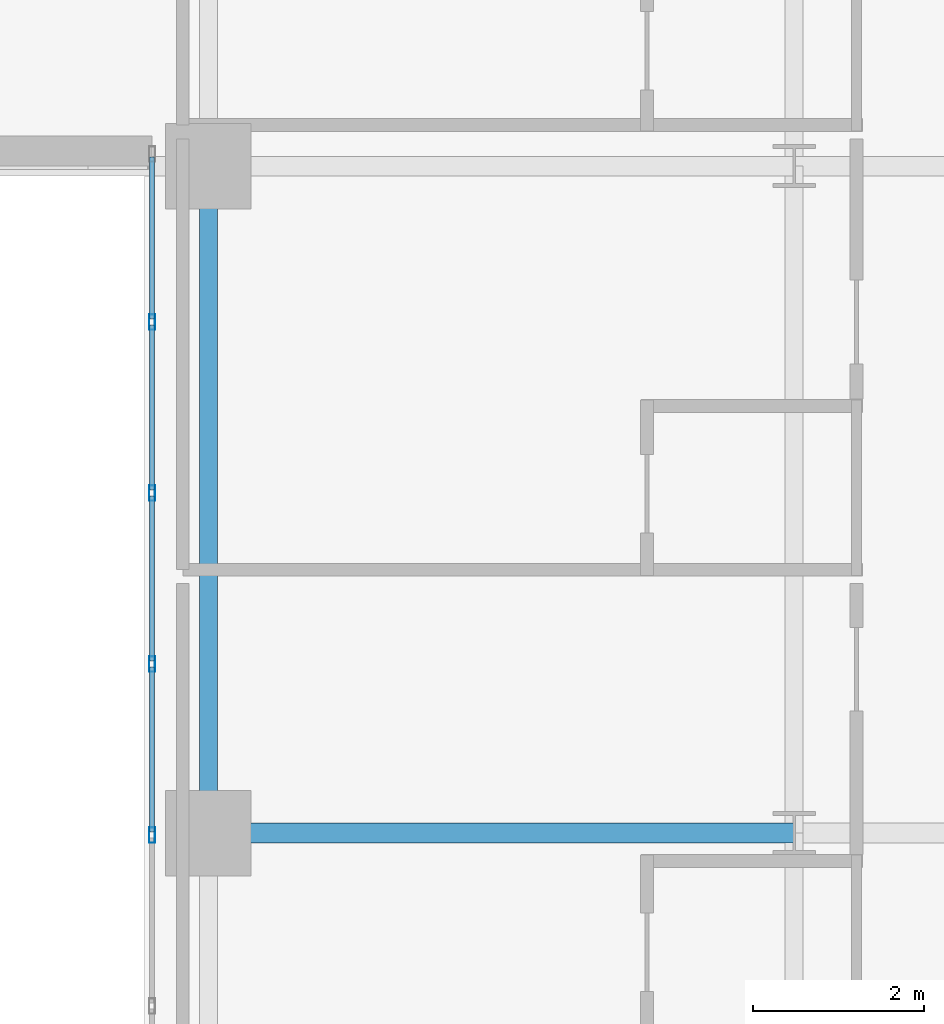
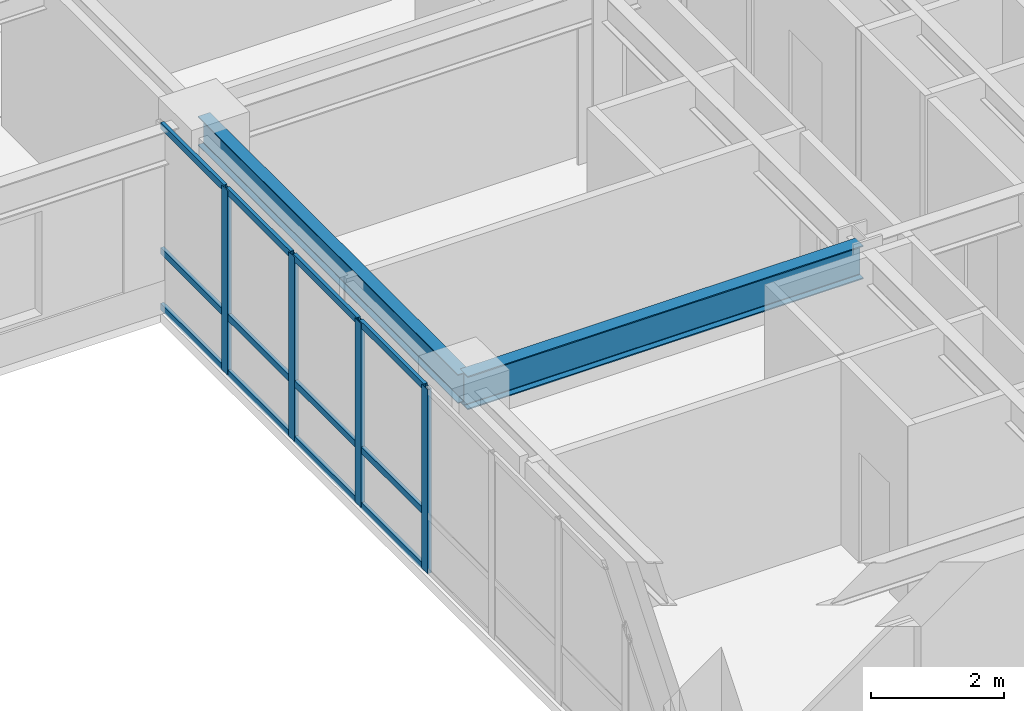
# One storey, part 16 of 37: 16 members, 2 beams, 1 element without a shape of its own.
"""IFC4 building model written with IfcOpenShell, lengths in metres."""

from ifc_helpers import new_model, si_unit, direction, frame, origin, origin_2d, place, context, subcontext, project, spatial, hollow_rectangle, i_section, extrude, source, transform, mapped, material, layer, layer_set, material_profile, profile_set, type_object, type_shapes, element, aggregate, save


model = new_model("IFC4")

# Units and contexts
model_context = context("Model", 3, precision=1e-05, world=origin(), true_north=direction((0.0, 1.0)))
body_context = subcontext(model_context, "Body", "Model", "MODEL_VIEW")
ifc_project = project(units=[si_unit("LENGTHUNIT", "METRE"), si_unit("AREAUNIT", "SQUARE_METRE"), si_unit("VOLUMEUNIT", "CUBIC_METRE"), si_unit("PLANEANGLEUNIT", "RADIAN"), si_unit("MASSUNIT", "GRAM", prefix="KILO")], contexts=[model_context])

# Site, building, storey
site_placement = place(None, origin())
site = spatial("IfcSite", under=ifc_project, at=site_placement, CompositionType="ELEMENT")
building_placement = place(site_placement, origin())
building = spatial("IfcBuilding", under=site, at=building_placement, Name="Tolvann Quenvar Hotel", CompositionType="ELEMENT")
storey_placement = place(building_placement, frame((0.0, 0.0, 53.300048828125)))
storey = spatial("IfcBuildingStorey", under=building, at=storey_placement, Name="L12", CompositionType="ELEMENT", Elevation=53.300048828125)

# Beams
ifc_material_1 = material(Name="Steel Grade 350", Category="steel")
ifc_material_profile_1 = material_profile(ifc_material_1, i_section(OverallWidth=0.22900390625, OverallDepth=0.612060546875, WebThickness=0.011962890625, FlangeThickness=0.01953125, FilletRadius=0.013916015625, at=origin_2d()), Name="610UB125")
ifc_profile_set_1 = profile_set([ifc_material_profile_1], Name="Steel Grade 350")
beam_type_1 = type_object("IfcBeamType", Name="BM_GIRD_610UB125", PredefinedType="BEAM", material=ifc_profile_set_1)
shared_shape_1 = source(origin(), body_context, "Body", "SweptSolid", [
    extrude(i_section(OverallWidth=0.22900390625, OverallDepth=0.612060546875, WebThickness=0.011962890625, FlangeThickness=0.01953125, FilletRadius=0.013916015625, at=origin_2d()), origin(), (0.0, 0.0, 1.0), 6.85009765625),
])
type_shapes(beam_type_1, [shared_shape_1])
beam_1_placement = place(storey_placement, frame((34.949951171875, 8.199951171875, 3.06396484375), z_axis=(1.0, 0.0, 0.0), x_axis=(0.0, 1.0, 0.0)))
element("IfcBeam", 1, at=beam_1_placement, inside=storey, type_object=beam_type_1, Name="BM-L12-EW-3-F3-H3", PredefinedType="BEAM", context=body_context, shape_type="MappedRepresentation", body=[
    mapped(shared_shape_1, transform((0.0, 0.0, 0.0), x_axis=(1.0, 0.0, 0.0), y_axis=(0.0, 1.0, 0.0), z_axis=(0.0, 0.0, 1.0), scale=1.0)),
])
ifc_material_profile_2 = material_profile(ifc_material_1, i_section(OverallWidth=0.208984375, OverallDepth=0.532958984375, WebThickness=0.01025390625, FlangeThickness=0.015625, FilletRadius=0.013916015625, at=origin_2d()), Name="530UB92")
ifc_profile_set_2 = profile_set([ifc_material_profile_2], Name="Steel Grade 350")
beam_type_2 = type_object("IfcBeamType", Name="BM_GIRD_530UB92", PredefinedType="BEAM", material=ifc_profile_set_2)
shared_shape_2 = source(origin(), body_context, "Body", "SweptSolid", [
    extrude(i_section(OverallWidth=0.208984375, OverallDepth=0.532958984375, WebThickness=0.01025390625, FlangeThickness=0.015625, FilletRadius=0.013916015625, at=origin_2d()), origin(), (0.0, 0.0, 1.0), 7.800048828125),
])
type_shapes(beam_type_2, [shared_shape_2])
beam_2_placement = place(storey_placement, frame((34.949951171875, 8.199951171875, 3.103515625), z_axis=(0.0, 1.0, 0.0), x_axis=(-1.0, 0.0, 0.0)))
element("IfcBeam", 2, at=beam_2_placement, inside=storey, type_object=beam_type_2, Name="BM-L12-NS-F3-F4", PredefinedType="BEAM", context=body_context, shape_type="MappedRepresentation", body=[
    mapped(shared_shape_2, transform((0.0, 0.0, 0.0), x_axis=(1.0, 0.0, 0.0), y_axis=(0.0, 1.0, 0.0), z_axis=(0.0, 0.0, 1.0), scale=1.0)),
])

# Curtain wall, members
ifc_material_2 = material(Name="Thermally broken anodised architectural aluminium 6063-T6 and laminated low-E glass", Category="aluminium")
ifc_layer = layer(ifc_material_2, 0.179931640625)
ifc_layer_set = layer_set([ifc_layer], Name="Thermally broken anodised architectural aluminium 6063-T6 and laminated low-E glass")
curtain_wall_type = type_object("IfcCurtainWallType", Name="CW_SYS_SLOT_03", PredefinedType="USERDEFINED", material=ifc_layer_set)
curtain_wall_placement = place(storey_placement, origin())
curtain_wall = element("IfcCurtainWall", 3, at=curtain_wall_placement, inside=storey, type_object=curtain_wall_type, Name="Curtain Wall CW-SLOT-03 (CWR-L12-E07)", ObjectType="UNITISED CURTAIN WALL", PredefinedType="USERDEFINED")
ifc_material_3 = material(Name="Anodised architectural aluminium 6063-T6 framing", Category="aluminium")
ifc_material_profile_3 = material_profile(ifc_material_3, hollow_rectangle(XDim=0.06005859375, YDim=0.1201171875, WallThickness=0.00341796875, at=origin_2d()), Name="120x60x3.5RHS")
ifc_profile_set_3 = profile_set([ifc_material_profile_3], Name="Anodised architectural aluminium 6063-T6 framing")
member_type_1 = type_object("IfcMemberType", Name="CW_TRAN_120x60", PredefinedType="USERDEFINED", material=ifc_profile_set_3)
shared_shape_3 = source(origin(), body_context, "Body", "SweptSolid", [
    extrude(hollow_rectangle(XDim=0.06005859375, YDim=0.1201171875, WallThickness=0.00341796875, at=origin_2d()), origin(), (0.0, 0.0, 1.0), 1.929931640625),
])
member_1_placement = place(storey_placement, frame((34.2900390625, 14.139892578125, 0.030029296875), z_axis=(0.0, -1.0, 0.0), x_axis=(1.0, 0.0, 0.0)))
member_1 = element("IfcMember", 4, at=member_1_placement, type_object=member_type_1, Name="CW-SLOT-03 transom 2.1", ObjectType="TRANSOM", PredefinedType="USERDEFINED", context=body_context, shape_type="MappedRepresentation", body=[
    mapped(shared_shape_3, transform((0.0, 0.0, 0.0), x_axis=(1.0, 0.0, 0.0), y_axis=(0.0, 1.0, 0.0), z_axis=(0.0, 0.0, 1.0), scale=1.0)),
])
member_2_placement = place(storey_placement, frame((34.2900390625, 14.139892578125, 1.050048828125), z_axis=(0.0, -1.0, 0.0), x_axis=(1.0, 0.0, 0.0)))
member_2 = element("IfcMember", 5, at=member_2_placement, type_object=member_type_1, Name="CW-SLOT-03 transom 2.2", ObjectType="TRANSOM", PredefinedType="USERDEFINED", context=body_context, shape_type="MappedRepresentation", body=[
    mapped(shared_shape_3, transform((0.0, 0.0, 0.0), x_axis=(1.0, 0.0, 0.0), y_axis=(0.0, 1.0, 0.0), z_axis=(0.0, 0.0, 1.0), scale=1.0)),
])
member_3_placement = place(storey_placement, frame((34.2900390625, 14.139892578125, 3.33984375), z_axis=(0.0, -1.0, 0.0), x_axis=(1.0, 0.0, 0.0)))
member_3 = element("IfcMember", 6, at=member_3_placement, type_object=member_type_1, Name="CW-SLOT-03 transom 2.3", ObjectType="TRANSOM", PredefinedType="USERDEFINED", context=body_context, shape_type="MappedRepresentation", body=[
    mapped(shared_shape_3, transform((0.0, 0.0, 0.0), x_axis=(1.0, 0.0, 0.0), y_axis=(0.0, 1.0, 0.0), z_axis=(0.0, 0.0, 1.0), scale=1.0)),
])
member_4_placement = place(storey_placement, frame((34.2900390625, 12.139892578125, 0.030029296875), z_axis=(0.0, -1.0, 0.0), x_axis=(1.0, 0.0, 0.0)))
member_4 = element("IfcMember", 7, at=member_4_placement, type_object=member_type_1, Name="CW-SLOT-03 transom 3.1", ObjectType="TRANSOM", PredefinedType="USERDEFINED", context=body_context, shape_type="MappedRepresentation", body=[
    mapped(shared_shape_3, transform((0.0, 0.0, 0.0), x_axis=(1.0, 0.0, 0.0), y_axis=(0.0, 1.0, 0.0), z_axis=(0.0, 0.0, 1.0), scale=1.0)),
])
member_5_placement = place(storey_placement, frame((34.2900390625, 12.139892578125, 1.050048828125), z_axis=(0.0, -1.0, 0.0), x_axis=(1.0, 0.0, 0.0)))
member_5 = element("IfcMember", 8, at=member_5_placement, type_object=member_type_1, Name="CW-SLOT-03 transom 3.2", ObjectType="TRANSOM", PredefinedType="USERDEFINED", context=body_context, shape_type="MappedRepresentation", body=[
    mapped(shared_shape_3, transform((0.0, 0.0, 0.0), x_axis=(1.0, 0.0, 0.0), y_axis=(0.0, 1.0, 0.0), z_axis=(0.0, 0.0, 1.0), scale=1.0)),
])
member_6_placement = place(storey_placement, frame((34.2900390625, 12.139892578125, 3.33984375), z_axis=(0.0, -1.0, 0.0), x_axis=(1.0, 0.0, 0.0)))
member_6 = element("IfcMember", 9, at=member_6_placement, type_object=member_type_1, Name="CW-SLOT-03 transom 3.3", ObjectType="TRANSOM", PredefinedType="USERDEFINED", context=body_context, shape_type="MappedRepresentation", body=[
    mapped(shared_shape_3, transform((0.0, 0.0, 0.0), x_axis=(1.0, 0.0, 0.0), y_axis=(0.0, 1.0, 0.0), z_axis=(0.0, 0.0, 1.0), scale=1.0)),
])
member_7_placement = place(storey_placement, frame((34.2900390625, 10.139892578125, 0.030029296875), z_axis=(0.0, -1.0, 0.0), x_axis=(1.0, 0.0, 0.0)))
member_7 = element("IfcMember", 10, at=member_7_placement, type_object=member_type_1, Name="CW-SLOT-03 transom 4.1", ObjectType="TRANSOM", PredefinedType="USERDEFINED", context=body_context, shape_type="MappedRepresentation", body=[
    mapped(shared_shape_3, transform((0.0, 0.0, 0.0), x_axis=(1.0, 0.0, 0.0), y_axis=(0.0, 1.0, 0.0), z_axis=(0.0, 0.0, 1.0), scale=1.0)),
])
member_8_placement = place(storey_placement, frame((34.2900390625, 10.139892578125, 1.050048828125), z_axis=(0.0, -1.0, 0.0), x_axis=(1.0, 0.0, 0.0)))
member_8 = element("IfcMember", 11, at=member_8_placement, type_object=member_type_1, Name="CW-SLOT-03 transom 4.2", ObjectType="TRANSOM", PredefinedType="USERDEFINED", context=body_context, shape_type="MappedRepresentation", body=[
    mapped(shared_shape_3, transform((0.0, 0.0, 0.0), x_axis=(1.0, 0.0, 0.0), y_axis=(0.0, 1.0, 0.0), z_axis=(0.0, 0.0, 1.0), scale=1.0)),
])
member_9_placement = place(storey_placement, frame((34.2900390625, 10.139892578125, 3.33984375), z_axis=(0.0, -1.0, 0.0), x_axis=(1.0, 0.0, 0.0)))
member_9 = element("IfcMember", 12, at=member_9_placement, type_object=member_type_1, Name="CW-SLOT-03 transom 4.3", ObjectType="TRANSOM", PredefinedType="USERDEFINED", context=body_context, shape_type="MappedRepresentation", body=[
    mapped(shared_shape_3, transform((0.0, 0.0, 0.0), x_axis=(1.0, 0.0, 0.0), y_axis=(0.0, 1.0, 0.0), z_axis=(0.0, 0.0, 1.0), scale=1.0)),
])
shared_shape_4 = source(origin(), body_context, "Body", "SweptSolid", [
    extrude(hollow_rectangle(XDim=0.06005859375, YDim=0.1201171875, WallThickness=0.00341796875, at=origin_2d()), origin(), (0.0, 0.0, 1.0), 1.89501953125),
])
type_shapes(member_type_1, [shared_shape_3, shared_shape_4])
member_10_placement = place(storey_placement, frame((34.2900390625, 16.10498046875, 0.030029296875), z_axis=(0.0, -1.0, 0.0), x_axis=(1.0, 0.0, 0.0)))
member_10 = element("IfcMember", 13, at=member_10_placement, type_object=member_type_1, Name="CW-SLOT-03 transom 1.1", ObjectType="TRANSOM", PredefinedType="USERDEFINED", context=body_context, shape_type="MappedRepresentation", body=[
    mapped(shared_shape_4, transform((0.0, 0.0, 0.0), x_axis=(1.0, 0.0, 0.0), y_axis=(0.0, 1.0, 0.0), z_axis=(0.0, 0.0, 1.0), scale=1.0)),
])
member_11_placement = place(storey_placement, frame((34.2900390625, 16.10498046875, 1.050048828125), z_axis=(0.0, -1.0, 0.0), x_axis=(1.0, 0.0, 0.0)))
member_11 = element("IfcMember", 14, at=member_11_placement, type_object=member_type_1, Name="CW-SLOT-03 transom 1.2", ObjectType="TRANSOM", PredefinedType="USERDEFINED", context=body_context, shape_type="MappedRepresentation", body=[
    mapped(shared_shape_4, transform((0.0, 0.0, 0.0), x_axis=(1.0, 0.0, 0.0), y_axis=(0.0, 1.0, 0.0), z_axis=(0.0, 0.0, 1.0), scale=1.0)),
])
member_12_placement = place(storey_placement, frame((34.2900390625, 16.10498046875, 3.33984375), z_axis=(0.0, -1.0, 0.0), x_axis=(1.0, 0.0, 0.0)))
member_12 = element("IfcMember", 15, at=member_12_placement, type_object=member_type_1, Name="CW-SLOT-03 transom 1.3", ObjectType="TRANSOM", PredefinedType="USERDEFINED", context=body_context, shape_type="MappedRepresentation", body=[
    mapped(shared_shape_4, transform((0.0, 0.0, 0.0), x_axis=(1.0, 0.0, 0.0), y_axis=(0.0, 1.0, 0.0), z_axis=(0.0, 0.0, 1.0), scale=1.0)),
])
ifc_material_profile_4 = material_profile(ifc_material_3, hollow_rectangle(XDim=0.070068359375, YDim=0.179931640625, WallThickness=0.00390625, at=origin_2d()), Name="180x70x4RHS")
ifc_profile_set_4 = profile_set([ifc_material_profile_4], Name="Anodised architectural aluminium 6063-T6 framing")
member_type_2 = type_object("IfcMemberType", Name="CW_MULL_180x70", PredefinedType="MULLION", material=ifc_profile_set_4)
shared_shape_5 = source(origin(), body_context, "Body", "SweptSolid", [
    extrude(hollow_rectangle(XDim=0.070068359375, YDim=0.179931640625, WallThickness=0.00390625, at=origin_2d()), origin(), (0.0, 0.0, 1.0), 3.369873046875),
])
type_shapes(member_type_2, [shared_shape_5])
member_13_placement = place(storey_placement, frame((34.2900390625, 14.175048828125, 0.0), z_axis=(0.0, 0.0, 1.0), x_axis=(1.0, 0.0, 0.0)))
member_13 = element("IfcMember", 16, at=member_13_placement, type_object=member_type_2, Name="CW-SLOT-03 mullion 2", PredefinedType="MULLION", context=body_context, shape_type="MappedRepresentation", body=[
    mapped(shared_shape_5, transform((0.0, 0.0, 0.0), x_axis=(1.0, 0.0, 0.0), y_axis=(0.0, 1.0, 0.0), z_axis=(0.0, 0.0, 1.0), scale=1.0)),
])
member_14_placement = place(storey_placement, frame((34.2900390625, 12.175048828125, 0.0), z_axis=(0.0, 0.0, 1.0), x_axis=(1.0, 0.0, 0.0)))
member_14 = element("IfcMember", 17, at=member_14_placement, type_object=member_type_2, Name="CW-SLOT-03 mullion 3", PredefinedType="MULLION", context=body_context, shape_type="MappedRepresentation", body=[
    mapped(shared_shape_5, transform((0.0, 0.0, 0.0), x_axis=(1.0, 0.0, 0.0), y_axis=(0.0, 1.0, 0.0), z_axis=(0.0, 0.0, 1.0), scale=1.0)),
])
member_15_placement = place(storey_placement, frame((34.2900390625, 10.175048828125, 0.0), z_axis=(0.0, 0.0, 1.0), x_axis=(1.0, 0.0, 0.0)))
member_15 = element("IfcMember", 18, at=member_15_placement, type_object=member_type_2, Name="CW-SLOT-03 mullion 4", PredefinedType="MULLION", context=body_context, shape_type="MappedRepresentation", body=[
    mapped(shared_shape_5, transform((0.0, 0.0, 0.0), x_axis=(1.0, 0.0, 0.0), y_axis=(0.0, 1.0, 0.0), z_axis=(0.0, 0.0, 1.0), scale=1.0)),
])
member_16_placement = place(storey_placement, frame((34.2900390625, 8.175048828125, 0.0), z_axis=(0.0, 0.0, 1.0), x_axis=(1.0, 0.0, 0.0)))
member_16 = element("IfcMember", 19, at=member_16_placement, type_object=member_type_2, Name="CW-SLOT-03 mullion 5", PredefinedType="MULLION", context=body_context, shape_type="MappedRepresentation", body=[
    mapped(shared_shape_5, transform((0.0, 0.0, 0.0), x_axis=(1.0, 0.0, 0.0), y_axis=(0.0, 1.0, 0.0), z_axis=(0.0, 0.0, 1.0), scale=1.0)),
])
aggregate(curtain_wall, [member_13, member_14, member_15, member_16, member_10, member_11, member_12, member_1, member_2, member_3, member_4, member_5, member_6, member_7, member_8, member_9])

save(model, "model.ifc")
